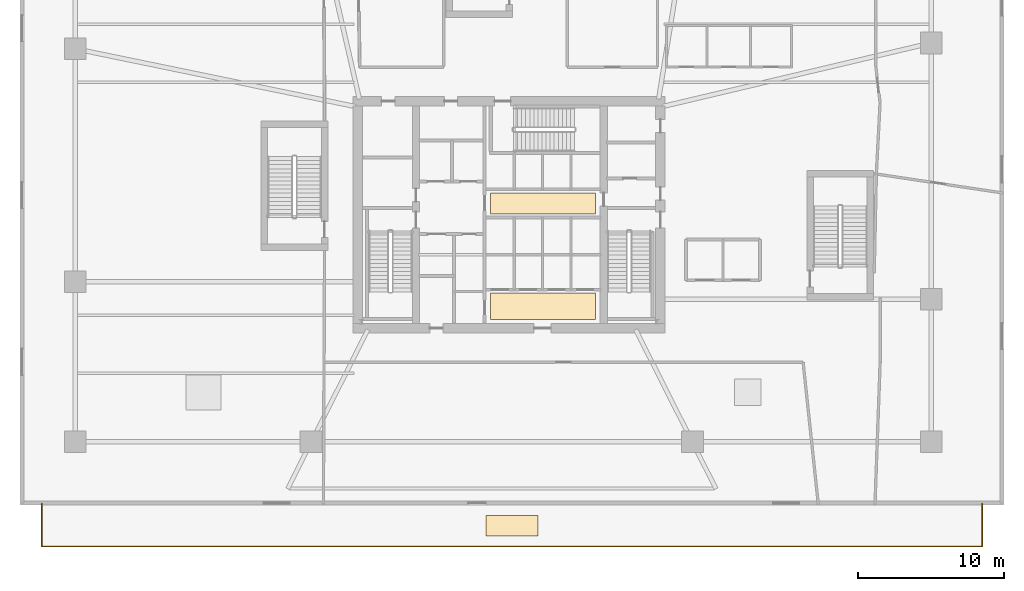
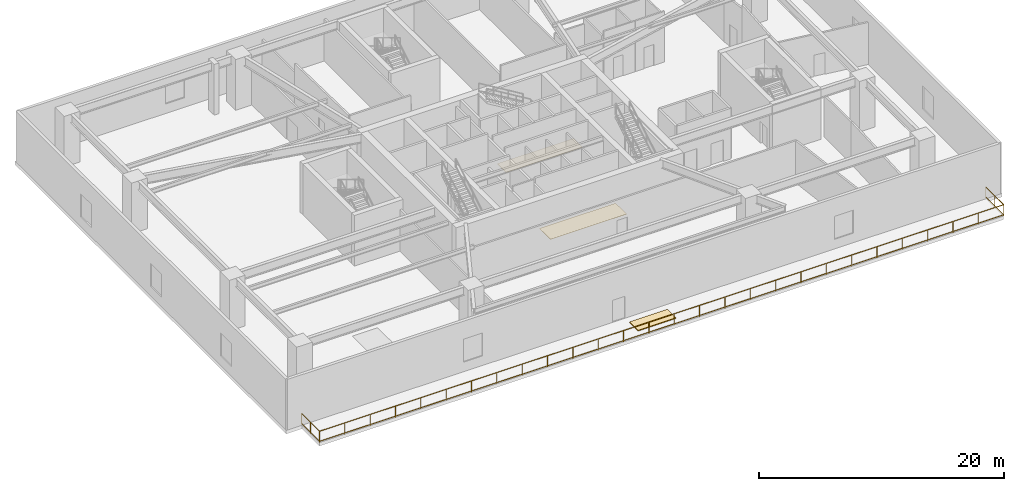
# One storey, part 9 of 11: 3 coverings, 1 railing.
"""IFC4 building model written with IfcOpenShell, lengths in metres."""

from ifc_helpers import new_model, si_unit, direction, frame, origin, origin_2d, place, context, subcontext, project, spatial, rectangle, extrude, material, layer, layer_set, type_object, element, save


model = new_model("IFC4")

# Units and contexts
model_context = context("Model", 3, precision=1e-05, world=origin(), true_north=direction((0.0, 1.0)))
body_context = subcontext(model_context, "Body", "Model", "MODEL_VIEW")
ifc_project = project(units=[si_unit("LENGTHUNIT", "METRE"), si_unit("AREAUNIT", "SQUARE_METRE"), si_unit("VOLUMEUNIT", "CUBIC_METRE"), si_unit("PLANEANGLEUNIT", "RADIAN"), si_unit("MASSUNIT", "GRAM", prefix="KILO")], contexts=[model_context])

# Site, building, storey
site_placement = place(None, origin())
site = spatial("IfcSite", under=ifc_project, at=site_placement, CompositionType="ELEMENT")
building_placement = place(site_placement, origin())
building = spatial("IfcBuilding", under=site, at=building_placement, Name="Qarnah Convention Tower", CompositionType="ELEMENT")
storey_placement = place(building_placement, frame((0.0, 0.0, 10.800048828125)))
storey = spatial("IfcBuildingStorey", under=building, at=storey_placement, Name="L02", CompositionType="ELEMENT", Elevation=10.800048828125)

# Coverings
ifc_material_1 = material(Name="Mineral fibre acoustic ceiling")
ifc_layer_1 = layer(ifc_material_1, 0.02001953125)
ifc_layer_set_1 = layer_set([ifc_layer_1], Name="Mineral fibre acoustic ceiling")
covering_type_1 = type_object("IfcCoveringType", Name="COV-CEIL-20", PredefinedType="CEILING", material=ifc_layer_set_1)
covering_1_placement = place(storey_placement, frame((39.52001953125, 27.179931640625, 2.2900390625), z_axis=(0.0, 0.0, 1.0), x_axis=(1.0, 0.0, 0.0)))
element("IfcCovering", 1, at=covering_1_placement, inside=storey, type_object=covering_type_1, Name="L02 lift lobby acoustic ceiling", PredefinedType="CEILING", context=body_context, shape_type="SweptSolid", body=[
    extrude(rectangle(XDim=7.199951171875, YDim=1.449951171875, at=origin_2d()), origin(), (0.0, 0.0, 1.0), 0.02001953125),
])
ifc_material_2 = material(Name="Porcelain stone floor tile", Category="masonry")
ifc_layer_2 = layer(ifc_material_2, 0.02001953125)
ifc_layer_set_2 = layer_set([ifc_layer_2], Name="Porcelain stone floor tile")
covering_type_2 = type_object("IfcCoveringType", Name="COV-FLOOR-20", PredefinedType="FLOORING", material=ifc_layer_set_2)
covering_2_placement = place(storey_placement, frame((39.52001953125, 20.1201171875, 0.0), z_axis=(0.0, 0.0, 1.0), x_axis=(1.0, 0.0, 0.0)))
element("IfcCovering", 2, at=covering_2_placement, inside=storey, type_object=covering_type_2, Name="L02 lift lobby porcelain stone flooring", PredefinedType="FLOORING", context=body_context, shape_type="SweptSolid", body=[
    extrude(rectangle(XDim=7.199951171875, YDim=1.800048828125, at=origin_2d()), origin(), (0.0, 0.0, 1.0), 0.02001953125),
])
ifc_material_3 = material(Name="Bituminous roof membrane", Category="concrete")
ifc_layer_3 = layer(ifc_material_3, 0.080078125)
ifc_layer_set_3 = layer_set([ifc_layer_3], Name="Bituminous roof membrane")
covering_type_3 = type_object("IfcCoveringType", Name="COV-ROOF-80", PredefinedType="ROOFING", material=ifc_layer_set_3)
covering_3_placement = place(storey_placement, frame((37.39990234375, 5.028076171875, 0.0), z_axis=(0.0, 0.0, 1.0), x_axis=(1.0, 0.0, 0.0)))
element("IfcCovering", 3, at=covering_3_placement, inside=storey, type_object=covering_type_3, Name="L02 podium terrace roof membrane panel 1", PredefinedType="ROOFING", context=body_context, shape_type="SweptSolid", body=[
    extrude(rectangle(XDim=3.60009765625, YDim=1.39990234375, at=origin_2d()), origin(), (0.0, 0.0, 1.0), 0.080078125),
])

# Railing
ifc_material_4 = material(Name="Black anodised aluminium", Category="aluminium")
railing_type = type_object("IfcRailingType", Name="RL-EXT-GUARD-1150", PredefinedType="GUARDRAIL", material=ifc_material_4)
railing_placement = place(storey_placement, frame((5.10009765625, 6.550048828125, 0.0)))
element("IfcRailing", 4, at=railing_placement, inside=storey, type_object=railing_type, Name="L02 balcony safety guard TERR-L02-S", PredefinedType="GUARDRAIL", context=body_context, shape_type="SweptSolid", body=[
    extrude(rectangle(XDim=0.048095703125, YDim=0.048095703125, at=origin_2d()), frame((0.0, 0.0, 1.1259765625), z_axis=(0.0, -1.0, 0.0), x_axis=(1.0, 0.0, 0.0)), (0.0, 0.0, 1.0), 2.949951171875),
    extrude(rectangle(XDim=0.048095703125, YDim=0.048095703125, at=origin_2d()), frame((0.0, 0.0, 0.1201171875), z_axis=(0.0, -1.0, 0.0), x_axis=(1.0, 0.0, 0.0)), (0.0, 0.0, 1.0), 2.949951171875),
    extrude(rectangle(XDim=0.048095703125, YDim=0.048095703125, at=origin_2d()), frame((0.0, -2.949951171875, 1.1259765625), z_axis=(1.0, 0.0, 0.0), x_axis=(0.0, 1.0, 0.0)), (0.0, 0.0, 1.0), 64.599853515625),
    extrude(rectangle(XDim=0.048095703125, YDim=0.048095703125, at=origin_2d()), frame((0.0, -2.949951171875, 0.1201171875), z_axis=(1.0, 0.0, 0.0), x_axis=(0.0, 1.0, 0.0)), (0.0, 0.0, 1.0), 64.599853515625),
    extrude(rectangle(XDim=0.048095703125, YDim=0.048095703125, at=origin_2d()), frame((64.599853515625, -2.949951171875, 1.1259765625), z_axis=(0.0, 1.0, 0.0), x_axis=(-1.0, 0.0, 0.0)), (0.0, 0.0, 1.0), 2.949951171875),
    extrude(rectangle(XDim=0.048095703125, YDim=0.048095703125, at=origin_2d()), frame((64.599853515625, -2.949951171875, 0.1201171875), z_axis=(0.0, 1.0, 0.0), x_axis=(-1.0, 0.0, 0.0)), (0.0, 0.0, 1.0), 2.949951171875),
    extrude(rectangle(XDim=0.0419921875, YDim=0.0419921875, at=origin_2d()), origin(), (0.0, 0.0, 1.0), 1.101806640625),
    extrude(rectangle(XDim=0.0419921875, YDim=0.0419921875, at=origin_2d()), frame((0.0, -1.47509765625, 0.0)), (0.0, 0.0, 1.0), 1.101806640625),
    extrude(rectangle(XDim=0.0419921875, YDim=0.0419921875, at=origin_2d()), frame((0.0, -2.949951171875, 0.0)), (0.0, 0.0, 1.0), 1.101806640625),
    extrude(rectangle(XDim=0.0419921875, YDim=0.0419921875, at=origin_2d()), frame((2.392578125, -2.949951171875, 0.0)), (0.0, 0.0, 1.0), 1.101806640625),
    extrude(rectangle(XDim=0.0419921875, YDim=0.0419921875, at=origin_2d()), frame((4.78515625, -2.949951171875, 0.0)), (0.0, 0.0, 1.0), 1.101806640625),
    extrude(rectangle(XDim=0.0419921875, YDim=0.0419921875, at=origin_2d()), frame((7.177734375, -2.949951171875, 0.0)), (0.0, 0.0, 1.0), 1.101806640625),
    extrude(rectangle(XDim=0.0419921875, YDim=0.0419921875, at=origin_2d()), frame((9.5703125, -2.949951171875, 0.0)), (0.0, 0.0, 1.0), 1.101806640625),
    extrude(rectangle(XDim=0.0419921875, YDim=0.0419921875, at=origin_2d()), frame((11.962890625, -2.949951171875, 0.0)), (0.0, 0.0, 1.0), 1.101806640625),
    extrude(rectangle(XDim=0.0419921875, YDim=0.0419921875, at=origin_2d()), frame((14.35546875, -2.949951171875, 0.0)), (0.0, 0.0, 1.0), 1.101806640625),
    extrude(rectangle(XDim=0.0419921875, YDim=0.0419921875, at=origin_2d()), frame((16.748046875, -2.949951171875, 0.0)), (0.0, 0.0, 1.0), 1.101806640625),
    extrude(rectangle(XDim=0.0419921875, YDim=0.0419921875, at=origin_2d()), frame((19.140625, -2.949951171875, 0.0)), (0.0, 0.0, 1.0), 1.101806640625),
    extrude(rectangle(XDim=0.0419921875, YDim=0.0419921875, at=origin_2d()), frame((21.533203125, -2.949951171875, 0.0)), (0.0, 0.0, 1.0), 1.101806640625),
    extrude(rectangle(XDim=0.0419921875, YDim=0.0419921875, at=origin_2d()), frame((23.92578125, -2.949951171875, 0.0)), (0.0, 0.0, 1.0), 1.101806640625),
    extrude(rectangle(XDim=0.0419921875, YDim=0.0419921875, at=origin_2d()), frame((26.318359375, -2.949951171875, 0.0)), (0.0, 0.0, 1.0), 1.101806640625),
    extrude(rectangle(XDim=0.0419921875, YDim=0.0419921875, at=origin_2d()), frame((28.7109375, -2.949951171875, 0.0)), (0.0, 0.0, 1.0), 1.101806640625),
    extrude(rectangle(XDim=0.0419921875, YDim=0.0419921875, at=origin_2d()), frame((31.103515625, -2.949951171875, 0.0)), (0.0, 0.0, 1.0), 1.101806640625),
    extrude(rectangle(XDim=0.0419921875, YDim=0.0419921875, at=origin_2d()), frame((33.496337890625, -2.949951171875, 0.0)), (0.0, 0.0, 1.0), 1.101806640625),
    extrude(rectangle(XDim=0.0419921875, YDim=0.0419921875, at=origin_2d()), frame((35.888916015625, -2.949951171875, 0.0)), (0.0, 0.0, 1.0), 1.101806640625),
    extrude(rectangle(XDim=0.0419921875, YDim=0.0419921875, at=origin_2d()), frame((38.281494140625, -2.949951171875, 0.0)), (0.0, 0.0, 1.0), 1.101806640625),
    extrude(rectangle(XDim=0.0419921875, YDim=0.0419921875, at=origin_2d()), frame((40.674072265625, -2.949951171875, 0.0)), (0.0, 0.0, 1.0), 1.101806640625),
    extrude(rectangle(XDim=0.0419921875, YDim=0.0419921875, at=origin_2d()), frame((43.066650390625, -2.949951171875, 0.0)), (0.0, 0.0, 1.0), 1.101806640625),
    extrude(rectangle(XDim=0.0419921875, YDim=0.0419921875, at=origin_2d()), frame((45.459228515625, -2.949951171875, 0.0)), (0.0, 0.0, 1.0), 1.101806640625),
    extrude(rectangle(XDim=0.0419921875, YDim=0.0419921875, at=origin_2d()), frame((47.851806640625, -2.949951171875, 0.0)), (0.0, 0.0, 1.0), 1.101806640625),
    extrude(rectangle(XDim=0.0419921875, YDim=0.0419921875, at=origin_2d()), frame((50.244384765625, -2.949951171875, 0.0)), (0.0, 0.0, 1.0), 1.101806640625),
    extrude(rectangle(XDim=0.0419921875, YDim=0.0419921875, at=origin_2d()), frame((52.636962890625, -2.949951171875, 0.0)), (0.0, 0.0, 1.0), 1.101806640625),
    extrude(rectangle(XDim=0.0419921875, YDim=0.0419921875, at=origin_2d()), frame((55.029541015625, -2.949951171875, 0.0)), (0.0, 0.0, 1.0), 1.101806640625),
    extrude(rectangle(XDim=0.0419921875, YDim=0.0419921875, at=origin_2d()), frame((57.422119140625, -2.949951171875, 0.0)), (0.0, 0.0, 1.0), 1.101806640625),
    extrude(rectangle(XDim=0.0419921875, YDim=0.0419921875, at=origin_2d()), frame((59.814697265625, -2.949951171875, 0.0)), (0.0, 0.0, 1.0), 1.101806640625),
    extrude(rectangle(XDim=0.0419921875, YDim=0.0419921875, at=origin_2d()), frame((62.207275390625, -2.949951171875, 0.0)), (0.0, 0.0, 1.0), 1.101806640625),
    extrude(rectangle(XDim=0.0419921875, YDim=0.0419921875, at=origin_2d()), frame((64.599853515625, -2.949951171875, 0.0)), (0.0, 0.0, 1.0), 1.101806640625),
    extrude(rectangle(XDim=0.0419921875, YDim=0.0419921875, at=origin_2d()), frame((64.599853515625, -1.47509765625, 0.0)), (0.0, 0.0, 1.0), 1.101806640625),
    extrude(rectangle(XDim=0.0419921875, YDim=0.0419921875, at=origin_2d()), frame((64.599853515625, 0.0, 0.0)), (0.0, 0.0, 1.0), 1.101806640625),
])

save(model, "model.ifc")
